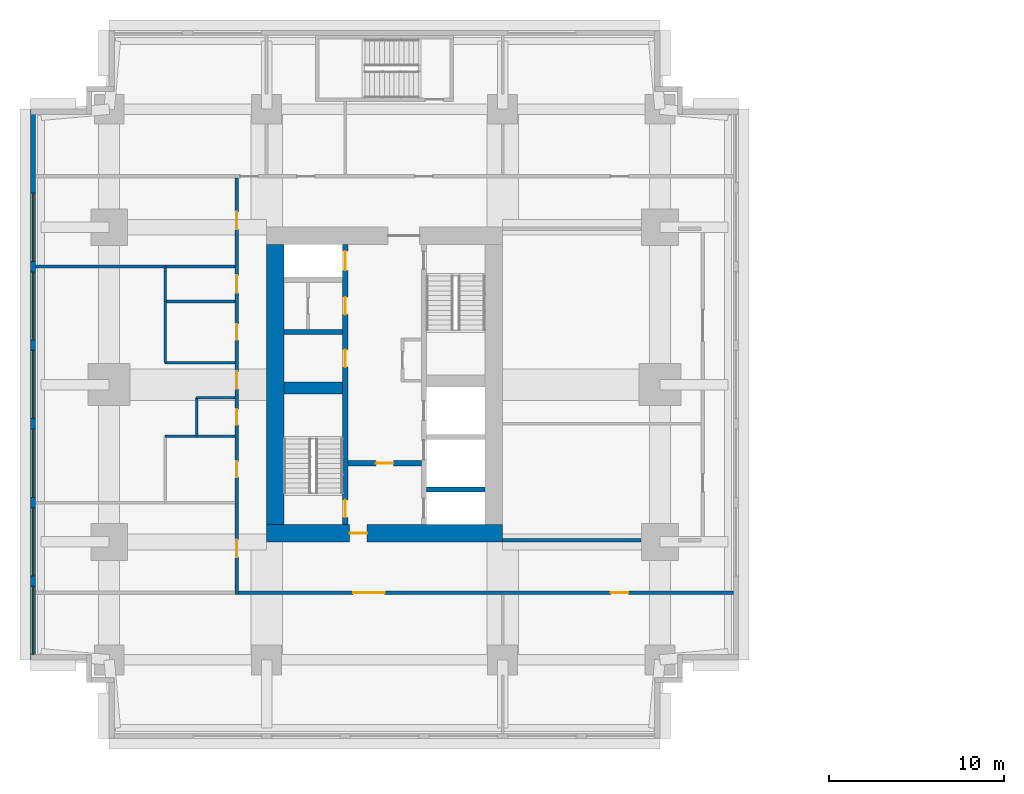
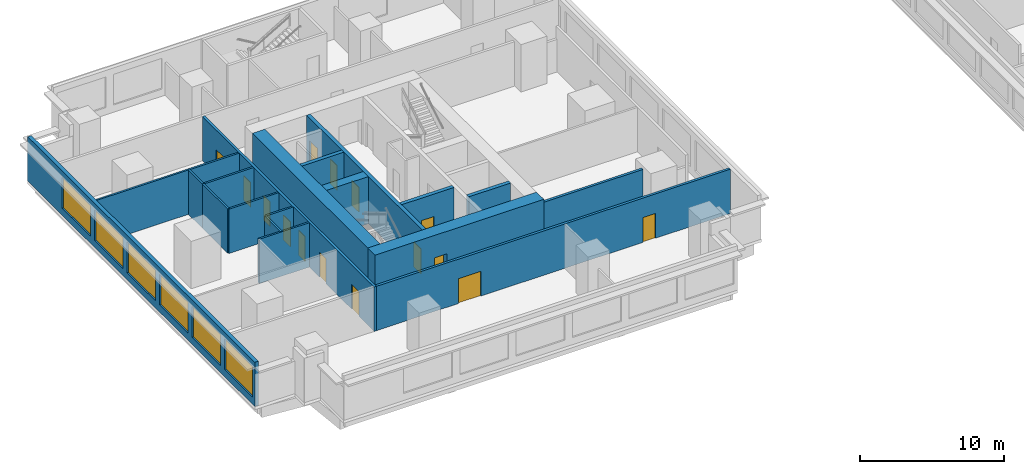
# One storey, part 3 of 10: 19 walls, 15 doors, 6 windows, 21 openings.
"""IFC4 building model written with IfcOpenShell, lengths in metres."""

from ifc_helpers import new_model, si_unit, direction, frame, frame_2d, origin, place, context, subcontext, project, spatial, rectangle, extrude, material, layer, layer_set, type_object, element, fill, save


model = new_model("IFC4")

# Units and contexts
model_context = context("Model", 3, precision=1e-05, world=origin(), true_north=direction((0.0, 1.0)))
body_context = subcontext(model_context, "Body", "Model", "MODEL_VIEW")
ifc_project = project(units=[si_unit("LENGTHUNIT", "METRE"), si_unit("AREAUNIT", "SQUARE_METRE"), si_unit("VOLUMEUNIT", "CUBIC_METRE"), si_unit("PLANEANGLEUNIT", "RADIAN"), si_unit("MASSUNIT", "GRAM", prefix="KILO")], contexts=[model_context])

# Site, building, storey
site_placement = place(None, origin())
site = spatial("IfcSite", under=ifc_project, at=site_placement, CompositionType="ELEMENT")
building_placement = place(site_placement, origin())
building = spatial("IfcBuilding", under=site, at=building_placement, Name="Namib Vertical Campus", CompositionType="ELEMENT")
storey_placement = place(building_placement, frame((0.0, 0.0, 165.0)))
storey = spatial("IfcBuildingStorey", under=building, at=storey_placement, Name="L39", CompositionType="ELEMENT", Elevation=165.0)

# Wall, openings, doors
ifc_material_1 = material(Name="Concrete C60/75", Category="concrete")
ifc_layer_1 = layer(ifc_material_1, 0.300048828125)
ifc_layer_set_1 = layer_set([ifc_layer_1], Name="Concrete C60/75")
wall_type_1 = type_object("IfcWallType", Name="Core inner wall 300", PredefinedType="SHEAR", material=ifc_layer_set_1)
wall_1_placement = place(storey_placement, frame((18.0, 12.25, 0.0), z_axis=(0.0, 0.0, 1.0), x_axis=(0.0, 1.0, 0.0)))
wall_1 = element("IfcWall", 1, at=wall_1_placement, inside=storey, type_object=wall_type_1, Name="Core inner wall A L39 W1", PredefinedType="SHEAR", context=body_context, shape_type="SweptSolid", body=[
    extrude(rectangle(XDim=16.0, YDim=0.300048828125, at=frame_2d((8.0, 0.0))), origin(), (0.0, 0.0, 1.0), 4.0),
])
opening_1_placement = place(wall_1_placement, frame((0.39990234375, 0.0, 0.0)))
opening_1 = element("IfcOpeningElement", 2, at=opening_1_placement, cuts=wall_1, Name="Opening FD1", PredefinedType="OPENING", context=body_context, shape_type="SweptSolid", body=[
    extrude(rectangle(XDim=1.0, YDim=2.10009765625, at=frame_2d((0.5, 1.050048828125))), frame((0.0, 0.159912109375, 0.0), z_axis=(0.0, -1.0, 0.0), x_axis=(1.0, 0.0, 0.0)), (0.0, 0.0, 1.0), 0.320068359375),
])
opening_2_placement = place(wall_1_placement, frame((14.52490234375, 0.0, 0.0)))
opening_2 = element("IfcOpeningElement", 3, at=opening_2_placement, cuts=wall_1, Name="Opening LD1", PredefinedType="OPENING", context=body_context, shape_type="SweptSolid", body=[
    extrude(rectangle(XDim=1.10009765625, YDim=2.10009765625, at=frame_2d((0.550048828125, 1.050048828125))), frame((0.0, 0.159912109375, 0.0), z_axis=(0.0, -1.0, 0.0), x_axis=(1.0, 0.0, 0.0)), (0.0, 0.0, 1.0), 0.320068359375),
])
opening_3_placement = place(wall_1_placement, frame((9.0, 0.0, 0.0)))
opening_3 = element("IfcOpeningElement", 4, at=opening_3_placement, cuts=wall_1, Name="Opening D1", PredefinedType="OPENING", context=body_context, shape_type="SweptSolid", body=[
    extrude(rectangle(XDim=1.0, YDim=2.10009765625, at=frame_2d((0.5, 1.050048828125))), frame((0.0, 0.159912109375, 0.0), z_axis=(0.0, -1.0, 0.0), x_axis=(1.0, 0.0, 0.0)), (0.0, 0.0, 1.0), 0.320068359375),
])
opening_4_placement = place(wall_1_placement, frame((12.0, 0.0, 0.0)))
opening_4 = element("IfcOpeningElement", 5, at=opening_4_placement, cuts=wall_1, Name="Opening D1", PredefinedType="OPENING", context=body_context, shape_type="SweptSolid", body=[
    extrude(rectangle(XDim=1.0, YDim=2.10009765625, at=frame_2d((0.5, 1.050048828125))), frame((0.0, 0.159912109375, 0.0), z_axis=(0.0, -1.0, 0.0), x_axis=(1.0, 0.0, 0.0)), (0.0, 0.0, 1.0), 0.320068359375),
])
ifc_material_2 = material(Name="Timber door leaf", Category="wood")
door_type_1 = type_object("IfcDoorType", Name="Door single 1000x2100", OperationType="SINGLE_SWING_LEFT", PredefinedType="DOOR", material=ifc_material_2)
door_1_placement = place(opening_3_placement, origin())
door_1 = element("IfcDoor", 6, at=door_1_placement, inside=storey, type_object=door_type_1, Name="Door D1 Staff pantry A L39 P1", OperationType="SINGLE_SWING_LEFT", OverallHeight=2.10009765625, OverallWidth=1.0, PredefinedType="DOOR", context=body_context, shape_type="SweptSolid", body=[
    extrude(rectangle(XDim=1.0, YDim=2.10009765625, at=frame_2d((0.5, 1.050048828125))), frame((0.0, 0.02490234375, 0.0), z_axis=(0.0, -1.0, 0.0), x_axis=(1.0, 0.0, 0.0)), (0.0, 0.0, 1.0), 0.050048828125),
])
fill(opening_3, door_1)
door_2_placement = place(opening_4_placement, origin())
door_2 = element("IfcDoor", 7, at=door_2_placement, inside=storey, type_object=door_type_1, Name="Door D1 Records store A L39 P2", OperationType="SINGLE_SWING_LEFT", OverallHeight=2.10009765625, OverallWidth=1.0, PredefinedType="DOOR", context=body_context, shape_type="SweptSolid", body=[
    extrude(rectangle(XDim=1.0, YDim=2.10009765625, at=frame_2d((0.5, 1.050048828125))), frame((0.0, 0.02490234375, 0.0), z_axis=(0.0, -1.0, 0.0), x_axis=(1.0, 0.0, 0.0)), (0.0, 0.0, 1.0), 0.050048828125),
])
fill(opening_4, door_2)
ifc_material_3 = material(Name="Steel fire door", Category="steel")
door_type_2 = type_object("IfcDoorType", Name="Fire door 1000x2100", OperationType="SINGLE_SWING_RIGHT", PredefinedType="DOOR", material=ifc_material_3)
door_3_placement = place(opening_1_placement, origin())
door_3 = element("IfcDoor", 8, at=door_3_placement, inside=storey, type_object=door_type_2, Name="Stair door FD1 A L39 S1", OperationType="SINGLE_SWING_LEFT", OverallHeight=2.10009765625, OverallWidth=1.0, PredefinedType="DOOR", context=body_context, shape_type="SweptSolid", body=[
    extrude(rectangle(XDim=1.0, YDim=2.10009765625, at=frame_2d((0.5, 1.050048828125))), frame((0.0, 0.02490234375, 0.0), z_axis=(0.0, -1.0, 0.0), x_axis=(1.0, 0.0, 0.0)), (0.0, 0.0, 1.0), 0.050048828125),
])
fill(opening_1, door_3)
ifc_material_4 = material(Name="Stainless steel lift door", Category="steel")
door_type_3 = type_object("IfcDoorType", Name="Lift landing door 1100x2100", OperationType="DOUBLE_DOOR_SLIDING", PredefinedType="DOOR", material=ifc_material_4)
door_4_placement = place(opening_2_placement, origin())
door_4 = element("IfcDoor", 9, at=door_4_placement, inside=storey, type_object=door_type_3, Name="Lift landing door LD1 A-P3 L39", OperationType="DOUBLE_DOOR_SLIDING", OverallHeight=2.10009765625, OverallWidth=1.10009765625, PredefinedType="DOOR", context=body_context, shape_type="SweptSolid", body=[
    extrude(rectangle(XDim=1.10009765625, YDim=2.10009765625, at=frame_2d((0.550048828125, 1.050048828125))), frame((0.0, 0.02490234375, 0.0), z_axis=(0.0, -1.0, 0.0), x_axis=(1.0, 0.0, 0.0)), (0.0, 0.0, 1.0), 0.050048828125),
])
fill(opening_2, door_4)

# Wall, opening, door
wall_2_placement = place(storey_placement, frame((18.14990234375, 15.75, 0.0), z_axis=(0.0, 0.0, 1.0), x_axis=(1.0, 0.0, 0.0)))
wall_2 = element("IfcWall", 10, at=wall_2_placement, inside=storey, type_object=wall_type_1, Name="Core inner wall A L39 W4", PredefinedType="SHEAR", context=body_context, shape_type="SweptSolid", body=[
    extrude(rectangle(XDim=4.2001953125, YDim=0.300048828125, at=frame_2d((2.10009765625, 0.0))), origin(), (0.0, 0.0, 1.0), 4.0),
])
opening_5_placement = place(wall_2_placement, frame((1.60009765625, 0.0, 0.0)))
opening_5 = element("IfcOpeningElement", 11, at=opening_5_placement, cuts=wall_2, Name="Opening FD5", PredefinedType="OPENING", context=body_context, shape_type="SweptSolid", body=[
    extrude(rectangle(XDim=1.0, YDim=2.10009765625, at=frame_2d((0.5, 1.050048828125))), frame((0.0, 0.159912109375, 0.0), z_axis=(0.0, -1.0, 0.0), x_axis=(1.0, 0.0, 0.0)), (0.0, 0.0, 1.0), 0.320068359375),
])
ifc_material_5 = material(Name="Steel fire door", Category="steel")
door_type_4 = type_object("IfcDoorType", Name="Fire door 1000x2100 120 min", OperationType="SINGLE_SWING_RIGHT", PredefinedType="DOOR", material=ifc_material_5)
door_5_placement = place(opening_5_placement, frame((1.0, 0.0, 0.0), z_axis=(0.0, 0.0, 1.0), x_axis=(-1.0, 0.0, 0.0)))
door_5 = element("IfcDoor", 12, at=door_5_placement, inside=storey, type_object=door_type_4, Name="Lobby door FD5 A L39", OperationType="SINGLE_SWING_RIGHT", OverallHeight=2.10009765625, OverallWidth=1.0, PredefinedType="DOOR", context=body_context, shape_type="SweptSolid", body=[
    extrude(rectangle(XDim=1.0, YDim=2.10009765625, at=frame_2d((0.5, 1.050048828125))), frame((0.0, 0.02490234375, 0.0), z_axis=(0.0, -1.0, 0.0), x_axis=(1.0, 0.0, 0.0)), (0.0, 0.0, 1.0), 0.050048828125),
])
fill(opening_5, door_5)

# Walls
for number, where, z_axis, x_axis, name in (
    (13, (22.64990234375, 14.25, 0.0), (0.0, 0.0, 1.0), (1.0, 0.0, 0.0), "Core inner wall A L39 W5"),
    (14, (14.5, 23.25, 0.0), (0.0, 0.0, 1.0), (1.0, 0.0, 0.0), "Core inner wall A L39 W8"),
):
    element("IfcWall", number, at=place(storey_placement, frame(where, z_axis=z_axis, x_axis=x_axis)), inside=storey, type_object=wall_type_1, Name=name, PredefinedType="SHEAR", context=body_context, shape_type="SweptSolid", body=[
        extrude(rectangle(XDim=3.35009765625, YDim=0.300048828125, at=frame_2d((1.675048828125, 0.0))), origin(), (0.0, 0.0, 1.0), 4.0),
    ])
ifc_material_6 = material(Name="Concrete C60/75", Category="concrete")
ifc_layer_2 = layer(ifc_material_6, 0.699951171875)
ifc_layer_set_2 = layer_set([ifc_layer_2], Name="Concrete C60/75")
wall_type_2 = type_object("IfcWallType", Name="Core shear wall 700", PredefinedType="SHEAR", material=ifc_layer_set_2)
wall_3_placement = place(storey_placement, frame((14.5, 20.050048828125, 0.0), z_axis=(0.0, 0.0, 1.0), x_axis=(1.0, 0.0, 0.0)))
element("IfcWall", 15, at=wall_3_placement, inside=storey, type_object=wall_type_2, Name="Core shear wall A L39 W3", PredefinedType="SHEAR", context=body_context, shape_type="SweptSolid", body=[
    extrude(rectangle(XDim=3.35009765625, YDim=0.699951171875, at=frame_2d((1.675048828125, 0.0))), origin(), (0.0, 0.0, 1.0), 4.0),
])

# Wall, opening, door
ifc_material_7 = material(Name="Concrete C60/75", Category="concrete")
ifc_layer_3 = layer(ifc_material_7, 1.0)
ifc_layer_set_3 = layer_set([ifc_layer_3], Name="Concrete C60/75")
wall_type_3 = type_object("IfcWallType", Name="Core wall 1000", PredefinedType="SHEAR", material=ifc_layer_set_3)
wall_4_placement = place(storey_placement, frame((13.5, 11.75, 0.0), z_axis=(0.0, 0.0, 1.0), x_axis=(1.0, 0.0, 0.0)))
wall_4 = element("IfcWall", 16, at=wall_4_placement, inside=storey, type_object=wall_type_3, Name="Core wall A L39 1", PredefinedType="SHEAR", context=body_context, shape_type="SweptSolid", body=[
    extrude(rectangle(XDim=13.5, YDim=1.0, at=frame_2d((6.75, 0.0))), origin(), (0.0, 0.0, 1.0), 4.0),
])
opening_6_placement = place(wall_4_placement, frame((4.75, 0.0, 0.0)))
opening_6 = element("IfcOpeningElement", 17, at=opening_6_placement, cuts=wall_4, Name="Opening FD5", PredefinedType="OPENING", context=body_context, shape_type="SweptSolid", body=[
    extrude(rectangle(XDim=1.0, YDim=2.10009765625, at=frame_2d((0.5, 1.050048828125))), frame((0.0, 0.510009765625, 0.0), z_axis=(0.0, -1.0, 0.0), x_axis=(1.0, 0.0, 0.0)), (0.0, 0.0, 1.0), 1.02001953125),
])
door_6_placement = place(opening_6_placement, origin())
door_6 = element("IfcDoor", 18, at=door_6_placement, inside=storey, type_object=door_type_4, Name="Firefighting lobby door FD5 A L39", OperationType="SINGLE_SWING_LEFT", OverallHeight=2.10009765625, OverallWidth=1.0, PredefinedType="DOOR", context=body_context, shape_type="SweptSolid", body=[
    extrude(rectangle(XDim=1.0, YDim=2.10009765625, at=frame_2d((0.5, 1.050048828125))), frame((0.0, 0.02490234375, 0.0), z_axis=(0.0, -1.0, 0.0), x_axis=(1.0, 0.0, 0.0)), (0.0, 0.0, 1.0), 0.050048828125),
])
fill(opening_6, door_6)

# Wall
wall_5_placement = place(storey_placement, frame((14.0, 28.25, 0.0), z_axis=(0.0, 0.0, 1.0), x_axis=(0.0, -1.0, 0.0)))
element("IfcWall", 19, at=wall_5_placement, inside=storey, type_object=wall_type_3, Name="Core wall A L39 4", PredefinedType="SHEAR", context=body_context, shape_type="SweptSolid", body=[
    extrude(rectangle(XDim=16.0, YDim=1.0, at=frame_2d((8.0, 0.0))), origin(), (0.0, 0.0, 1.0), 4.0),
])

# Wall, openings, doors
ifc_material_8 = material(Name="Concrete masonry", Category="masonry")
ifc_layer_4 = layer(ifc_material_8, 0.199951171875)
ifc_layer_set_4 = layer_set([ifc_layer_4], Name="Corridor wall 200")
wall_type_4 = type_object("IfcWallType", Name="Corridor wall 200", PredefinedType="SOLIDWALL", material=ifc_layer_set_4)
wall_6_placement = place(storey_placement, frame((11.89990234375, 8.35009765625, 0.0), z_axis=(0.0, 0.0, 1.0), x_axis=(1.0, 0.0, 0.0)))
wall_6 = element("IfcWall", 20, at=wall_6_placement, inside=storey, type_object=wall_type_4, Name="Corridor wall A L39 CS", PredefinedType="SOLIDWALL", context=body_context, shape_type="SweptSolid", body=[
    extrude(rectangle(XDim=28.300048828125, YDim=0.199951171875, at=frame_2d((14.14990234375, 0.0))), origin(), (0.0, 0.0, 1.0), 3.75),
])
opening_7_placement = place(wall_6_placement, frame((6.550048828125, 0.0, 0.0)))
opening_7 = element("IfcOpeningElement", 21, at=opening_7_placement, cuts=wall_6, Name="Opening CD2", PredefinedType="OPENING", context=body_context, shape_type="SweptSolid", body=[
    extrude(rectangle(XDim=1.800048828125, YDim=2.10009765625, at=frame_2d((0.89990234375, 1.050048828125))), frame((0.0, 0.10986328125, 0.0), z_axis=(0.0, -1.0, 0.0), x_axis=(1.0, 0.0, 0.0)), (0.0, 0.0, 1.0), 0.219970703125),
])
opening_8_placement = place(wall_6_placement, frame((21.300048828125, 0.0, 0.0)))
opening_8 = element("IfcOpeningElement", 22, at=opening_8_placement, cuts=wall_6, Name="Opening CD1", PredefinedType="OPENING", context=body_context, shape_type="SweptSolid", body=[
    extrude(rectangle(XDim=1.0, YDim=2.10009765625, at=frame_2d((0.5, 1.050048828125))), frame((0.0, 0.10986328125, 0.0), z_axis=(0.0, -1.0, 0.0), x_axis=(1.0, 0.0, 0.0)), (0.0, 0.0, 1.0), 0.219970703125),
])
ifc_material_9 = material(Name="Timber fire door leaf", Category="wood")
door_type_5 = type_object("IfcDoorType", Name="Corridor door 1000x2100 20 min", OperationType="SINGLE_SWING_LEFT", PredefinedType="DOOR", material=ifc_material_9)
door_7_placement = place(opening_8_placement, frame((1.0, 0.0, 0.0), z_axis=(0.0, 0.0, 1.0), x_axis=(-1.0, 0.0, 0.0)))
door_7 = element("IfcDoor", 23, at=door_7_placement, inside=storey, type_object=door_type_5, Name="Door CD1 A39-02", OperationType="SINGLE_SWING_RIGHT", OverallHeight=2.10009765625, OverallWidth=1.0, PredefinedType="DOOR", context=body_context, shape_type="SweptSolid", body=[
    extrude(rectangle(XDim=1.0, YDim=2.10009765625, at=frame_2d((0.5, 1.050048828125))), frame((0.0, 0.02490234375, 0.0), z_axis=(0.0, -1.0, 0.0), x_axis=(1.0, 0.0, 0.0)), (0.0, 0.0, 1.0), 0.050048828125),
])
fill(opening_8, door_7)
ifc_material_10 = material(Name="Timber fire door leaf", Category="wood")
door_type_6 = type_object("IfcDoorType", Name="Corridor door double 1800x2100 20 min", OperationType="DOUBLE_DOOR_SINGLE_SWING", PredefinedType="DOOR", material=ifc_material_10)
door_8_placement = place(opening_7_placement, frame((1.800048828125, 0.0, 0.0), z_axis=(0.0, 0.0, 1.0), x_axis=(-1.0, 0.0, 0.0)))
door_8 = element("IfcDoor", 24, at=door_8_placement, inside=storey, type_object=door_type_6, Name="Door CD2 A39-01", OperationType="DOUBLE_DOOR_SINGLE_SWING", OverallHeight=2.10009765625, OverallWidth=1.800048828125, PredefinedType="DOOR", context=body_context, shape_type="SweptSolid", body=[
    extrude(rectangle(XDim=1.800048828125, YDim=2.10009765625, at=frame_2d((0.89990234375, 1.050048828125))), frame((0.0, 0.02490234375, 0.0), z_axis=(0.0, -1.0, 0.0), x_axis=(1.0, 0.0, 0.0)), (0.0, 0.0, 1.0), 0.050048828125),
])
fill(opening_7, door_8)

wall_7_placement = place(storey_placement, frame((11.800048828125, 32.050048828125, 0.0), z_axis=(0.0, 0.0, 1.0), x_axis=(0.0, -1.0, 0.0)))
wall_7 = element("IfcWall", 25, at=wall_7_placement, inside=storey, type_object=wall_type_4, Name="Corridor wall A L39 CW", PredefinedType="SOLIDWALL", context=body_context, shape_type="SweptSolid", body=[
    extrude(rectangle(XDim=23.800048828125, YDim=0.199951171875, at=frame_2d((11.89990234375, 0.0))), origin(), (0.0, 0.0, 1.0), 3.75),
])
opening_9_placement = place(wall_7_placement, frame((20.675048828125, 0.0, 0.0)))
opening_9 = element("IfcOpeningElement", 26, at=opening_9_placement, cuts=wall_7, Name="Opening CD1", PredefinedType="OPENING", context=body_context, shape_type="SweptSolid", body=[
    extrude(rectangle(XDim=1.0, YDim=2.10009765625, at=frame_2d((0.5, 1.050048828125))), frame((0.0, 0.10986328125, 0.0), z_axis=(0.0, -1.0, 0.0), x_axis=(1.0, 0.0, 0.0)), (0.0, 0.0, 1.0), 0.219970703125),
])
opening_10_placement = place(wall_7_placement, frame((16.199951171875, 0.0, 0.0)))
opening_10 = element("IfcOpeningElement", 27, at=opening_10_placement, cuts=wall_7, Name="Opening CD3", PredefinedType="OPENING", context=body_context, shape_type="SweptSolid", body=[
    extrude(rectangle(XDim=0.89990234375, YDim=2.10009765625, at=frame_2d((0.449951171875, 1.050048828125))), frame((0.0, 0.10986328125, 0.0), z_axis=(0.0, -1.0, 0.0), x_axis=(1.0, 0.0, 0.0)), (0.0, 0.0, 1.0), 0.219970703125),
])
opening_11_placement = place(wall_7_placement, frame((13.199951171875, 0.0, 0.0)))
opening_11 = element("IfcOpeningElement", 28, at=opening_11_placement, cuts=wall_7, Name="Opening CD3", PredefinedType="OPENING", context=body_context, shape_type="SweptSolid", body=[
    extrude(rectangle(XDim=0.89990234375, YDim=2.10009765625, at=frame_2d((0.449951171875, 1.050048828125))), frame((0.0, 0.10986328125, 0.0), z_axis=(0.0, -1.0, 0.0), x_axis=(1.0, 0.0, 0.0)), (0.0, 0.0, 1.0), 0.219970703125),
])
opening_12_placement = place(wall_7_placement, frame((8.35009765625, 0.0, 0.0)))
opening_12 = element("IfcOpeningElement", 29, at=opening_12_placement, cuts=wall_7, Name="Opening CD3", PredefinedType="OPENING", context=body_context, shape_type="SweptSolid", body=[
    extrude(rectangle(XDim=0.89990234375, YDim=2.10009765625, at=frame_2d((0.449951171875, 1.050048828125))), frame((0.0, 0.10986328125, 0.0), z_axis=(0.0, -1.0, 0.0), x_axis=(1.0, 0.0, 0.0)), (0.0, 0.0, 1.0), 0.219970703125),
])
opening_13_placement = place(wall_7_placement, frame((5.550048828125, 0.0, 0.0)))
opening_13 = element("IfcOpeningElement", 30, at=opening_13_placement, cuts=wall_7, Name="Opening CD1", PredefinedType="OPENING", context=body_context, shape_type="SweptSolid", body=[
    extrude(rectangle(XDim=1.0, YDim=2.10009765625, at=frame_2d((0.5, 1.050048828125))), frame((0.0, 0.10986328125, 0.0), z_axis=(0.0, -1.0, 0.0), x_axis=(1.0, 0.0, 0.0)), (0.0, 0.0, 1.0), 0.219970703125),
])
opening_14_placement = place(wall_7_placement, frame((11.050048828125, 0.0, 0.0)))
opening_14 = element("IfcOpeningElement", 31, at=opening_14_placement, cuts=wall_7, Name="Opening CD1", PredefinedType="OPENING", context=body_context, shape_type="SweptSolid", body=[
    extrude(rectangle(XDim=1.0, YDim=2.10009765625, at=frame_2d((0.5, 1.050048828125))), frame((0.0, 0.10986328125, 0.0), z_axis=(0.0, -1.0, 0.0), x_axis=(1.0, 0.0, 0.0)), (0.0, 0.0, 1.0), 0.219970703125),
])
opening_15_placement = place(wall_7_placement, frame((1.925048828125, 0.0, 0.0)))
opening_15 = element("IfcOpeningElement", 32, at=opening_15_placement, cuts=wall_7, Name="Opening CD1", PredefinedType="OPENING", context=body_context, shape_type="SweptSolid", body=[
    extrude(rectangle(XDim=1.0, YDim=2.10009765625, at=frame_2d((0.5, 1.050048828125))), frame((0.0, 0.10986328125, 0.0), z_axis=(0.0, -1.0, 0.0), x_axis=(1.0, 0.0, 0.0)), (0.0, 0.0, 1.0), 0.219970703125),
])
door_9_placement = place(opening_9_placement, frame((1.0, 0.0, 0.0), z_axis=(0.0, 0.0, 1.0), x_axis=(-1.0, 0.0, 0.0)))
door_9 = element("IfcDoor", 33, at=door_9_placement, inside=storey, type_object=door_type_5, Name="Door CD1 A39-09", OperationType="SINGLE_SWING_RIGHT", OverallHeight=2.10009765625, OverallWidth=1.0, PredefinedType="DOOR", context=body_context, shape_type="SweptSolid", body=[
    extrude(rectangle(XDim=1.0, YDim=2.10009765625, at=frame_2d((0.5, 1.050048828125))), frame((0.0, 0.02490234375, 0.0), z_axis=(0.0, -1.0, 0.0), x_axis=(1.0, 0.0, 0.0)), (0.0, 0.0, 1.0), 0.050048828125),
])
fill(opening_9, door_9)
door_10_placement = place(opening_13_placement, frame((1.0, 0.0, 0.0), z_axis=(0.0, 0.0, 1.0), x_axis=(-1.0, 0.0, 0.0)))
door_10 = element("IfcDoor", 34, at=door_10_placement, inside=storey, type_object=door_type_5, Name="Door CD1 A39-13", OperationType="SINGLE_SWING_RIGHT", OverallHeight=2.10009765625, OverallWidth=1.0, PredefinedType="DOOR", context=body_context, shape_type="SweptSolid", body=[
    extrude(rectangle(XDim=1.0, YDim=2.10009765625, at=frame_2d((0.5, 1.050048828125))), frame((0.0, 0.02490234375, 0.0), z_axis=(0.0, -1.0, 0.0), x_axis=(1.0, 0.0, 0.0)), (0.0, 0.0, 1.0), 0.050048828125),
])
fill(opening_13, door_10)
door_11_placement = place(opening_14_placement, frame((1.0, 0.0, 0.0), z_axis=(0.0, 0.0, 1.0), x_axis=(-1.0, 0.0, 0.0)))
door_11 = element("IfcDoor", 35, at=door_11_placement, inside=storey, type_object=door_type_5, Name="Door CD1 A39-14", OperationType="SINGLE_SWING_RIGHT", OverallHeight=2.10009765625, OverallWidth=1.0, PredefinedType="DOOR", context=body_context, shape_type="SweptSolid", body=[
    extrude(rectangle(XDim=1.0, YDim=2.10009765625, at=frame_2d((0.5, 1.050048828125))), frame((0.0, 0.02490234375, 0.0), z_axis=(0.0, -1.0, 0.0), x_axis=(1.0, 0.0, 0.0)), (0.0, 0.0, 1.0), 0.050048828125),
])
fill(opening_14, door_11)
door_12_placement = place(opening_15_placement, frame((1.0, 0.0, 0.0), z_axis=(0.0, 0.0, 1.0), x_axis=(-1.0, 0.0, 0.0)))
door_12 = element("IfcDoor", 36, at=door_12_placement, inside=storey, type_object=door_type_5, Name="Door CD1 A39-15", OperationType="SINGLE_SWING_RIGHT", OverallHeight=2.10009765625, OverallWidth=1.0, PredefinedType="DOOR", context=body_context, shape_type="SweptSolid", body=[
    extrude(rectangle(XDim=1.0, YDim=2.10009765625, at=frame_2d((0.5, 1.050048828125))), frame((0.0, 0.02490234375, 0.0), z_axis=(0.0, -1.0, 0.0), x_axis=(1.0, 0.0, 0.0)), (0.0, 0.0, 1.0), 0.050048828125),
])
fill(opening_15, door_12)
ifc_material_11 = material(Name="Timber fire door leaf", Category="wood")
door_type_7 = type_object("IfcDoorType", Name="Corridor toilet door 900x2100 20 min", OperationType="SINGLE_SWING_LEFT", PredefinedType="DOOR", material=ifc_material_11)
door_13_placement = place(opening_10_placement, frame((0.89990234375, 0.0, 0.0), z_axis=(0.0, 0.0, 1.0), x_axis=(-1.0, 0.0, 0.0)))
door_13 = element("IfcDoor", 37, at=door_13_placement, inside=storey, type_object=door_type_7, Name="Door CD3 A39-10", OperationType="SINGLE_SWING_RIGHT", OverallHeight=2.10009765625, OverallWidth=0.89990234375, PredefinedType="DOOR", context=body_context, shape_type="SweptSolid", body=[
    extrude(rectangle(XDim=0.89990234375, YDim=2.10009765625, at=frame_2d((0.449951171875, 1.050048828125))), frame((0.0, 0.02490234375, 0.0), z_axis=(0.0, -1.0, 0.0), x_axis=(1.0, 0.0, 0.0)), (0.0, 0.0, 1.0), 0.050048828125),
])
fill(opening_10, door_13)
door_14_placement = place(opening_11_placement, frame((0.89990234375, 0.0, 0.0), z_axis=(0.0, 0.0, 1.0), x_axis=(-1.0, 0.0, 0.0)))
door_14 = element("IfcDoor", 38, at=door_14_placement, inside=storey, type_object=door_type_7, Name="Door CD3 A39-11", OperationType="SINGLE_SWING_RIGHT", OverallHeight=2.10009765625, OverallWidth=0.89990234375, PredefinedType="DOOR", context=body_context, shape_type="SweptSolid", body=[
    extrude(rectangle(XDim=0.89990234375, YDim=2.10009765625, at=frame_2d((0.449951171875, 1.050048828125))), frame((0.0, 0.02490234375, 0.0), z_axis=(0.0, -1.0, 0.0), x_axis=(1.0, 0.0, 0.0)), (0.0, 0.0, 1.0), 0.050048828125),
])
fill(opening_11, door_14)
door_15_placement = place(opening_12_placement, frame((0.89990234375, 0.0, 0.0), z_axis=(0.0, 0.0, 1.0), x_axis=(-1.0, 0.0, 0.0)))
door_15 = element("IfcDoor", 39, at=door_15_placement, inside=storey, type_object=door_type_7, Name="Door CD3 A39-12", OperationType="SINGLE_SWING_RIGHT", OverallHeight=2.10009765625, OverallWidth=0.89990234375, PredefinedType="DOOR", context=body_context, shape_type="SweptSolid", body=[
    extrude(rectangle(XDim=0.89990234375, YDim=2.10009765625, at=frame_2d((0.449951171875, 1.050048828125))), frame((0.0, 0.02490234375, 0.0), z_axis=(0.0, -1.0, 0.0), x_axis=(1.0, 0.0, 0.0)), (0.0, 0.0, 1.0), 0.050048828125),
])
fill(opening_12, door_15)

# Wall
wall_8_placement = place(storey_placement, frame((27.0, 11.35009765625, 0.0), z_axis=(0.0, 0.0, 1.0), x_axis=(1.0, 0.0, 0.0)))
element("IfcWall", 40, at=wall_8_placement, inside=storey, type_object=wall_type_4, Name="Corridor wall A L39 GS", PredefinedType="SOLIDWALL", context=body_context, shape_type="SweptSolid", body=[
    extrude(rectangle(XDim=7.929931640625, YDim=0.199951171875, at=frame_2d((3.96484375, 0.0))), origin(), (0.0, 0.0, 1.0), 3.75),
])

# Wall, openings, windows
ifc_material_12 = material(Name="Concrete C40/50", Category="concrete")
ifc_layer_5 = layer(ifc_material_12, 0.300048828125)
ifc_layer_set_5 = layer_set([ifc_layer_5], Name="Concrete C40/50")
wall_type_5 = type_object("IfcWallType", Name="External wall 300 board-marked concrete", PredefinedType="STANDARD", material=ifc_layer_set_5)
wall_9_placement = place(storey_placement, frame((0.14990234375, 35.97998046875, 0.0), z_axis=(0.0, 0.0, 1.0), x_axis=(0.0, -1.0, 0.0)))
wall_9 = element("IfcWall", 41, at=wall_9_placement, inside=storey, type_object=wall_type_5, Name="External wall L39 F16", PredefinedType="STANDARD", context=body_context, shape_type="SweptSolid", body=[
    extrude(rectangle(XDim=31.4599609375, YDim=0.300048828125, at=frame_2d((15.72998046875, 0.0))), origin(), (0.0, 0.0, 1.0), 3.75),
])
opening_16_placement = place(wall_9_placement, frame((27.280029296875, 0.0, 0.60009765625)))
opening_16 = element("IfcOpeningElement", 42, at=opening_16_placement, cuts=wall_9, Name="Opening W2", PredefinedType="OPENING", context=body_context, shape_type="SweptSolid", body=[
    extrude(rectangle(XDim=3.89990234375, YDim=2.60009765625, at=frame_2d((1.949951171875, 1.300048828125))), frame((0.0, 0.159912109375, 0.0), z_axis=(0.0, -1.0, 0.0), x_axis=(1.0, 0.0, 0.0)), (0.0, 0.0, 1.0), 0.320068359375),
])
opening_17_placement = place(wall_9_placement, frame((22.780029296875, 0.0, 0.60009765625)))
opening_17 = element("IfcOpeningElement", 43, at=opening_17_placement, cuts=wall_9, Name="Opening W2", PredefinedType="OPENING", context=body_context, shape_type="SweptSolid", body=[
    extrude(rectangle(XDim=3.89990234375, YDim=2.60009765625, at=frame_2d((1.949951171875, 1.300048828125))), frame((0.0, 0.159912109375, 0.0), z_axis=(0.0, -1.0, 0.0), x_axis=(1.0, 0.0, 0.0)), (0.0, 0.0, 1.0), 0.320068359375),
])
opening_18_placement = place(wall_9_placement, frame((18.280029296875, 0.0, 0.60009765625)))
opening_18 = element("IfcOpeningElement", 44, at=opening_18_placement, cuts=wall_9, Name="Opening W2", PredefinedType="OPENING", context=body_context, shape_type="SweptSolid", body=[
    extrude(rectangle(XDim=3.89990234375, YDim=2.60009765625, at=frame_2d((1.949951171875, 1.300048828125))), frame((0.0, 0.159912109375, 0.0), z_axis=(0.0, -1.0, 0.0), x_axis=(1.0, 0.0, 0.0)), (0.0, 0.0, 1.0), 0.320068359375),
])
opening_19_placement = place(wall_9_placement, frame((13.780029296875, 0.0, 0.60009765625)))
opening_19 = element("IfcOpeningElement", 45, at=opening_19_placement, cuts=wall_9, Name="Opening W2", PredefinedType="OPENING", context=body_context, shape_type="SweptSolid", body=[
    extrude(rectangle(XDim=3.89990234375, YDim=2.60009765625, at=frame_2d((1.949951171875, 1.300048828125))), frame((0.0, 0.159912109375, 0.0), z_axis=(0.0, -1.0, 0.0), x_axis=(1.0, 0.0, 0.0)), (0.0, 0.0, 1.0), 0.320068359375),
])
opening_20_placement = place(wall_9_placement, frame((9.280029296875, 0.0, 0.60009765625)))
opening_20 = element("IfcOpeningElement", 46, at=opening_20_placement, cuts=wall_9, Name="Opening W2", PredefinedType="OPENING", context=body_context, shape_type="SweptSolid", body=[
    extrude(rectangle(XDim=3.89990234375, YDim=2.60009765625, at=frame_2d((1.949951171875, 1.300048828125))), frame((0.0, 0.159912109375, 0.0), z_axis=(0.0, -1.0, 0.0), x_axis=(1.0, 0.0, 0.0)), (0.0, 0.0, 1.0), 0.320068359375),
])
opening_21_placement = place(wall_9_placement, frame((4.780029296875, 0.0, 0.60009765625)))
opening_21 = element("IfcOpeningElement", 47, at=opening_21_placement, cuts=wall_9, Name="Opening W2", PredefinedType="OPENING", context=body_context, shape_type="SweptSolid", body=[
    extrude(rectangle(XDim=3.89990234375, YDim=2.60009765625, at=frame_2d((1.949951171875, 1.300048828125))), frame((0.0, 0.159912109375, 0.0), z_axis=(0.0, -1.0, 0.0), x_axis=(1.0, 0.0, 0.0)), (0.0, 0.0, 1.0), 0.320068359375),
])
ifc_material_13 = material(Name="Dark tinted glass in black aluminium frame", Category="aluminium")
window_type = type_object("IfcWindowType", Name="Ribbon window 3900x2600", PartitioningType="SINGLE_PANEL", PredefinedType="WINDOW", material=ifc_material_13)
window_1_placement = place(opening_16_placement, origin())
window_1 = element("IfcWindow", 48, at=window_1_placement, inside=storey, type_object=window_type, Name="Window W2 L39 F16-1", OverallHeight=2.60009765625, OverallWidth=3.89990234375, PartitioningType="SINGLE_PANEL", PredefinedType="WINDOW", context=body_context, shape_type="SweptSolid", body=[
    extrude(rectangle(XDim=3.89990234375, YDim=2.60009765625, at=frame_2d((1.949951171875, 1.300048828125))), frame((0.0, 0.030029296875, 0.0), z_axis=(0.0, -1.0, 0.0), x_axis=(1.0, 0.0, 0.0)), (0.0, 0.0, 1.0), 0.06005859375),
])
fill(opening_16, window_1)
window_2_placement = place(opening_17_placement, origin())
window_2 = element("IfcWindow", 49, at=window_2_placement, inside=storey, type_object=window_type, Name="Window W2 L39 F16-2", OverallHeight=2.60009765625, OverallWidth=3.89990234375, PartitioningType="SINGLE_PANEL", PredefinedType="WINDOW", context=body_context, shape_type="SweptSolid", body=[
    extrude(rectangle(XDim=3.89990234375, YDim=2.60009765625, at=frame_2d((1.949951171875, 1.300048828125))), frame((0.0, 0.030029296875, 0.0), z_axis=(0.0, -1.0, 0.0), x_axis=(1.0, 0.0, 0.0)), (0.0, 0.0, 1.0), 0.06005859375),
])
fill(opening_17, window_2)
window_3_placement = place(opening_18_placement, origin())
window_3 = element("IfcWindow", 50, at=window_3_placement, inside=storey, type_object=window_type, Name="Window W2 L39 F16-3", OverallHeight=2.60009765625, OverallWidth=3.89990234375, PartitioningType="SINGLE_PANEL", PredefinedType="WINDOW", context=body_context, shape_type="SweptSolid", body=[
    extrude(rectangle(XDim=3.89990234375, YDim=2.60009765625, at=frame_2d((1.949951171875, 1.300048828125))), frame((0.0, 0.030029296875, 0.0), z_axis=(0.0, -1.0, 0.0), x_axis=(1.0, 0.0, 0.0)), (0.0, 0.0, 1.0), 0.06005859375),
])
fill(opening_18, window_3)
window_4_placement = place(opening_19_placement, origin())
window_4 = element("IfcWindow", 51, at=window_4_placement, inside=storey, type_object=window_type, Name="Window W2 L39 F16-4", OverallHeight=2.60009765625, OverallWidth=3.89990234375, PartitioningType="SINGLE_PANEL", PredefinedType="WINDOW", context=body_context, shape_type="SweptSolid", body=[
    extrude(rectangle(XDim=3.89990234375, YDim=2.60009765625, at=frame_2d((1.949951171875, 1.300048828125))), frame((0.0, 0.030029296875, 0.0), z_axis=(0.0, -1.0, 0.0), x_axis=(1.0, 0.0, 0.0)), (0.0, 0.0, 1.0), 0.06005859375),
])
fill(opening_19, window_4)
window_5_placement = place(opening_20_placement, origin())
window_5 = element("IfcWindow", 52, at=window_5_placement, inside=storey, type_object=window_type, Name="Window W2 L39 F16-5", OverallHeight=2.60009765625, OverallWidth=3.89990234375, PartitioningType="SINGLE_PANEL", PredefinedType="WINDOW", context=body_context, shape_type="SweptSolid", body=[
    extrude(rectangle(XDim=3.89990234375, YDim=2.60009765625, at=frame_2d((1.949951171875, 1.300048828125))), frame((0.0, 0.030029296875, 0.0), z_axis=(0.0, -1.0, 0.0), x_axis=(1.0, 0.0, 0.0)), (0.0, 0.0, 1.0), 0.06005859375),
])
fill(opening_20, window_5)
window_6_placement = place(opening_21_placement, origin())
window_6 = element("IfcWindow", 53, at=window_6_placement, inside=storey, type_object=window_type, Name="Window W2 L39 F16-6", OverallHeight=2.60009765625, OverallWidth=3.89990234375, PartitioningType="SINGLE_PANEL", PredefinedType="WINDOW", context=body_context, shape_type="SweptSolid", body=[
    extrude(rectangle(XDim=3.89990234375, YDim=2.60009765625, at=frame_2d((1.949951171875, 1.300048828125))), frame((0.0, 0.030029296875, 0.0), z_axis=(0.0, -1.0, 0.0), x_axis=(1.0, 0.0, 0.0)), (0.0, 0.0, 1.0), 0.06005859375),
])
fill(opening_21, window_6)

# Walls
ifc_material_14 = material(Name="Gypsum board on steel studs", Category="steel")
ifc_layer_6 = layer(ifc_material_14, 0.14990234375)
ifc_layer_set_6 = layer_set([ifc_layer_6], Name="Gypsum board on steel studs")
wall_type_6 = type_object("IfcWallType", Name="Partition 150", PredefinedType="PARTITIONING", material=ifc_layer_set_6)
wall_10_placement = place(storey_placement, frame((0.300048828125, 27.0, 0.0), z_axis=(0.0, 0.0, 1.0), x_axis=(1.0, 0.0, 0.0)))
element("IfcWall", 54, at=wall_10_placement, inside=storey, type_object=wall_type_6, Name="Partition A L39 PW2", PredefinedType="PARTITIONING", context=body_context, shape_type="SweptSolid", body=[
    extrude(rectangle(XDim=11.39990234375, YDim=0.14990234375, at=frame_2d((5.699951171875, 0.0))), origin(), (0.0, 0.0, 1.0), 3.75),
])
wall_11_placement = place(storey_placement, frame((11.699951171875, 17.300048828125, 0.0), z_axis=(0.0, 0.0, 1.0), x_axis=(-1.0, 0.0, 0.0)))
element("IfcWall", 55, at=wall_11_placement, inside=storey, type_object=wall_type_6, Name="Partition A L39 WR1", PredefinedType="PARTITIONING", context=body_context, shape_type="SweptSolid", body=[
    extrude(rectangle(XDim=4.0, YDim=0.14990234375, at=frame_2d((2.0, 0.0))), origin(), (0.0, 0.0, 1.0), 3.75),
])
wall_12_placement = place(storey_placement, frame((11.699951171875, 19.5, 0.0), z_axis=(0.0, 0.0, 1.0), x_axis=(-1.0, 0.0, 0.0)))
element("IfcWall", 56, at=wall_12_placement, inside=storey, type_object=wall_type_6, Name="Partition A L39 WR2", PredefinedType="PARTITIONING", context=body_context, shape_type="SweptSolid", body=[
    extrude(rectangle(XDim=2.199951171875, YDim=0.14990234375, at=frame_2d((1.10009765625, 0.0))), origin(), (0.0, 0.0, 1.0), 3.75),
])
for number, where, z_axis, x_axis, name in (
    (57, (11.699951171875, 21.5, 0.0), (0.0, 0.0, 1.0), (-1.0, 0.0, 0.0), "Partition A L39 WR3"),
    (58, (11.699951171875, 25.0, 0.0), (0.0, 0.0, 1.0), (-1.0, 0.0, 0.0), "Partition A L39 WR4"),
):
    element("IfcWall", number, at=place(storey_placement, frame(where, z_axis=z_axis, x_axis=x_axis)), inside=storey, type_object=wall_type_6, Name=name, PredefinedType="PARTITIONING", context=body_context, shape_type="SweptSolid", body=[
        extrude(rectangle(XDim=4.0, YDim=0.14990234375, at=frame_2d((2.0, 0.0))), origin(), (0.0, 0.0, 1.0), 3.75),
    ])
wall_13_placement = place(storey_placement, frame((9.5, 17.300048828125, 0.0), z_axis=(0.0, 0.0, 1.0), x_axis=(0.0, 1.0, 0.0)))
element("IfcWall", 59, at=wall_13_placement, inside=storey, type_object=wall_type_6, Name="Partition A L39 WB2", PredefinedType="PARTITIONING", context=body_context, shape_type="SweptSolid", body=[
    extrude(rectangle(XDim=2.199951171875, YDim=0.14990234375, at=frame_2d((1.10009765625, 0.0))), origin(), (0.0, 0.0, 1.0), 3.75),
])
wall_14_placement = place(storey_placement, frame((7.699951171875, 21.5, 0.0), z_axis=(0.0, 0.0, 1.0), x_axis=(0.0, 1.0, 0.0)))
element("IfcWall", 60, at=wall_14_placement, inside=storey, type_object=wall_type_6, Name="Partition A L39 WB3", PredefinedType="PARTITIONING", context=body_context, shape_type="SweptSolid", body=[
    extrude(rectangle(XDim=3.5, YDim=0.14990234375, at=frame_2d((1.75, 0.0))), origin(), (0.0, 0.0, 1.0), 3.75),
])
wall_15_placement = place(storey_placement, frame((7.699951171875, 25.0, 0.0), z_axis=(0.0, 0.0, 1.0), x_axis=(0.0, 1.0, 0.0)))
element("IfcWall", 61, at=wall_15_placement, inside=storey, type_object=wall_type_6, Name="Partition A L39 WB4", PredefinedType="PARTITIONING", context=body_context, shape_type="SweptSolid", body=[
    extrude(rectangle(XDim=2.0, YDim=0.14990234375, at=frame_2d((1.0, 0.0))), origin(), (0.0, 0.0, 1.0), 3.75),
])

save(model, "model.ifc")
